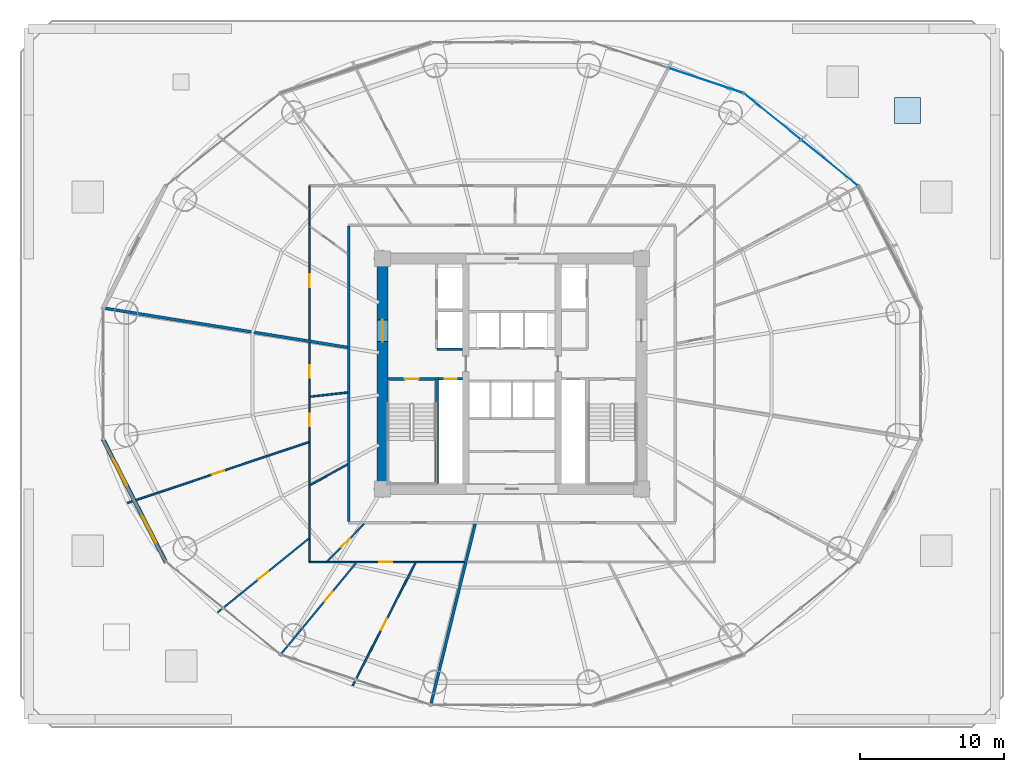
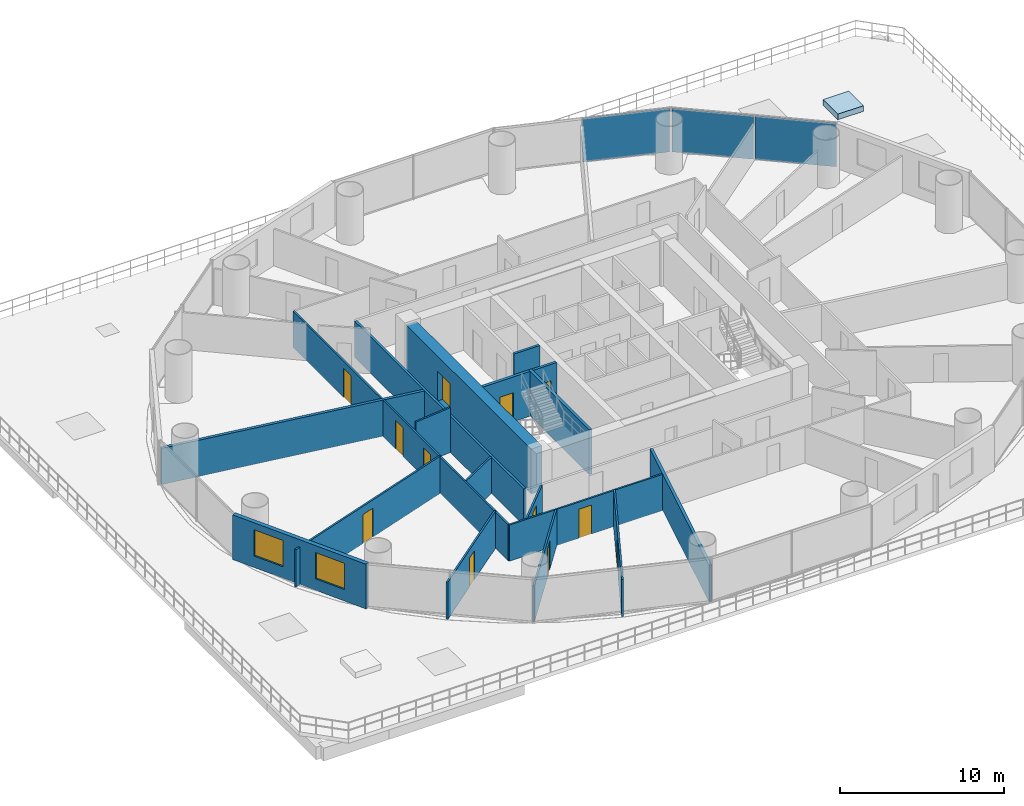
# One storey, part 30 of 37: 19 walls, 12 doors, 3 plates, 2 windows, 1 slab, 14 openings, 2 elements without a shape of their own.
"""IFC4 building model written with IfcOpenShell, lengths in metres."""

from ifc_helpers import new_model, si_unit, direction, frame, frame_2d, origin, origin_2d, place, context, subcontext, project, spatial, polyline, rectangle, outline, extrude, source, transform, mapped, material, layer, layer_set, type_object, element, fill, aggregate, save


model = new_model("IFC4")

# Units and contexts
model_context = context("Model", 3, precision=1e-05, world=origin(), true_north=direction((-0.2419218956, 0.970295726276)))
body_context = subcontext(model_context, "Body", "Model", "MODEL_VIEW")
ifc_project = project(units=[si_unit("LENGTHUNIT", "METRE"), si_unit("AREAUNIT", "SQUARE_METRE"), si_unit("VOLUMEUNIT", "CUBIC_METRE"), si_unit("PLANEANGLEUNIT", "RADIAN"), si_unit("MASSUNIT", "GRAM", prefix="KILO")], contexts=[model_context])

# Site, building, storey
site_placement = place(None, origin())
site = spatial("IfcSite", under=ifc_project, at=site_placement, CompositionType="ELEMENT")
building_placement = place(site_placement, origin())
building = spatial("IfcBuilding", under=site, at=building_placement, Name="Cobrevalo Terracotta Tower", CompositionType="ELEMENT")
storey_placement = place(building_placement, frame((0.0, 0.0, 24.0)))
storey = spatial("IfcBuildingStorey", under=building, at=storey_placement, Name="L05", CompositionType="ELEMENT", Elevation=24.0)

# Slab
ifc_material_1 = material(Name="Precast concrete C45", Category="concrete")
ifc_layer_1 = layer(ifc_material_1, 0.419921875)
ifc_layer_set_1 = layer_set([ifc_layer_1], Name="Precast concrete C45")
slab_type = type_object("IfcSlabType", Name="Structural tree planter trough base 420 mm", PredefinedType="USERDEFINED", material=ifc_layer_set_1)
slab_placement = place(storey_placement, origin())
element("IfcSlab", 1, at=slab_placement, inside=storey, type_object=slab_type, Name="L05 raised garden tree planter 6", ObjectType="PLANTER", PredefinedType="USERDEFINED", context=body_context, shape_type="SweptSolid", body=[
    extrude(outline(polyline([(64.60009765625, 44.199951171875), (66.39990234375, 44.199951171875), (66.39990234375, 46.0), (64.60009765625, 46.0), (64.60009765625, 44.199951171875)])), origin(), (0.0, 0.0, 1.0), 0.419921875),
])

# Curtain wall, plates
ifc_material_2 = material(Name="Anodized aluminium", Category="aluminium")
curtain_wall_type = type_object("IfcCurtainWallType", Name="Lower-tower unitised acoustic low-E curtain wall CW-U1", PredefinedType="NOTDEFINED", material=ifc_material_2)
curtain_wall_1_placement = place(storey_placement, origin())
curtain_wall_1 = element("IfcCurtainWall", 2, at=curtain_wall_1_placement, inside=storey, type_object=curtain_wall_type, Name="L05 curtain wall CW-L05-S02", PredefinedType="NOTDEFINED")
ifc_material_3 = material(Name="Solar-control low-E double glazing", Category="glass")
ifc_layer_2 = layer(ifc_material_3, 0.028076171875)
ifc_layer_set_2 = layer_set([ifc_layer_2], Name="Solar-control low-E double glazing")
plate_type = type_object("IfcPlateType", Name="Tower solar-control low-E vision glass panel 28 mm", PredefinedType="CURTAIN_PANEL", material=ifc_layer_set_2)
shared_shape_1 = source(origin(), body_context, "Body", "SweptSolid", [
    extrude(rectangle(XDim=5.023193359375, YDim=0.035888671875, at=origin_2d()), origin(), (0.0, 0.0, 1.0), 3.239990234375),
])
plate_1_placement = place(storey_placement, frame((60.073974609375, 41.470703125, 0.0400390625), z_axis=(0.0, 0.0, 1.0), x_axis=(-0.777007547884, 0.629491279154, 0.0)))
plate_1 = element("IfcPlate", 3, at=plate_1_placement, type_object=plate_type, Name="CW-L05-S02 glazing panel B01", PredefinedType="CURTAIN_PANEL", context=body_context, shape_type="MappedRepresentation", body=[
    mapped(shared_shape_1, transform((0.0, 0.0, 0.0), scale=1.0)),
])
plate_2_placement = place(storey_placement, frame((56.108642578125, 44.68310546875, 0.0400390625), z_axis=(0.0, 0.0, 1.0), x_axis=(-0.777007547884, 0.629491279154, 0.0)))
plate_2 = element("IfcPlate", 4, at=plate_2_placement, type_object=plate_type, Name="CW-L05-S02 glazing panel B02", PredefinedType="CURTAIN_PANEL", context=body_context, shape_type="MappedRepresentation", body=[
    mapped(shared_shape_1, transform((0.0, 0.0, 0.0), scale=1.0)),
])
aggregate(curtain_wall_1, [plate_1, plate_2])

# Curtain wall, plate
curtain_wall_2_placement = place(storey_placement, origin())
curtain_wall_2 = element("IfcCurtainWall", 5, at=curtain_wall_2_placement, inside=storey, type_object=curtain_wall_type, Name="L05 curtain wall CW-L05-S03", PredefinedType="NOTDEFINED")
shared_shape_2 = source(origin(), body_context, "Body", "SweptSolid", [
    extrude(rectangle(XDim=5.3876953125, YDim=0.035888671875, at=origin_2d()), origin(), (0.0, 0.0, 1.0), 3.239990234375),
])
plate_3_placement = place(storey_placement, frame((51.465087890625, 47.197021484375, 0.0400390625), z_axis=(0.0, 0.0, 1.0), x_axis=(-0.948044172593, 0.318138722592, 0.0)))
plate_3 = element("IfcPlate", 6, at=plate_3_placement, type_object=plate_type, Name="CW-L05-S03 glazing panel B01", PredefinedType="CURTAIN_PANEL", context=body_context, shape_type="MappedRepresentation", body=[
    mapped(shared_shape_2, transform((0.0, 0.0, 0.0), scale=1.0)),
])
aggregate(curtain_wall_2, [plate_3])

# Wall, opening, door
ifc_material_4 = material(Name="Concrete C60", Category="concrete")
ifc_layer_3 = layer(ifc_material_4, 0.75)
ifc_layer_set_3 = layer_set([ifc_layer_3], Name="Concrete C60")
wall_type_1 = type_object("IfcWallType", Name="Core shear wall 750 mm Concrete C60", PredefinedType="SHEAR", material=ifc_layer_set_3)
wall_1_placement = place(storey_placement, frame((29.0, 19.175048828125, 0.0), z_axis=(0.0, 0.0, 1.0), x_axis=(0.0, 1.0, 0.0)))
wall_1 = element("IfcWall", 7, at=wall_1_placement, inside=storey, type_object=wall_type_1, Name="L05 west core shear wall", PredefinedType="SHEAR", context=body_context, shape_type="SweptSolid", body=[
    extrude(rectangle(XDim=15.25, YDim=0.75, at=frame_2d((7.625, 0.0))), origin(), (0.0, 0.0, 1.0), 3.320068359375),
])
opening_1_placement = place(wall_1_placement, frame((9.875, 0.0, 0.0)))
opening_1 = element("IfcOpeningElement", 8, at=opening_1_placement, cuts=wall_1, Name="Opening ID-14", PredefinedType="OPENING", context=body_context, shape_type="SweptSolid", body=[
    extrude(rectangle(XDim=1.5, YDim=2.199951171875, at=frame_2d((0.75, 1.10009765625))), frame((0.0, 0.385009765625, 0.0), z_axis=(0.0, -1.0, 0.0), x_axis=(1.0, 0.0, 0.0)), (0.0, 0.0, 1.0), 0.77001953125),
])
ifc_material_5 = material(Name="Galvanized fire-rated steel", Category="steel")
door_type_1 = type_object("IfcDoorType", Name="Core cross-lobby double fire door 1500x2200 EI 90", OperationType="NOTDEFINED", PredefinedType="DOOR", material=ifc_material_5)
shared_shape_3 = source(origin(), body_context, "Body", "SweptSolid", [
    extrude(rectangle(XDim=1.5, YDim=2.199951171875, at=frame_2d((0.75, 1.10009765625))), frame((0.0, 0.02490234375, 0.0), z_axis=(0.0, -1.0, 0.0), x_axis=(1.0, 0.0, 0.0)), (0.0, 0.0, 1.0), 0.050048828125),
])
door_1_placement = place(opening_1_placement, origin())
door_1 = element("IfcDoor", 9, at=door_1_placement, inside=storey, type_object=door_type_1, Name="L05 west firefighting lobby entrance door", OperationType="DOUBLE_DOOR_SINGLE_SWING", OverallHeight=2.199951171875, OverallWidth=1.5, PredefinedType="DOOR", context=body_context, shape_type="MappedRepresentation", body=[
    mapped(shared_shape_3, transform((0.0, 0.0, 0.0), scale=1.0)),
])
fill(opening_1, door_1)

# Walls
ifc_material_6 = material(Name="Gypsum board on steel stud", Category="steel")
ifc_layer_4 = layer(ifc_material_6, 0.159912109375)
ifc_layer_set_4 = layer_set([ifc_layer_4], Name="Gypsum board on steel stud")
wall_type_2 = type_object("IfcWallType", Name="Fire-rated corridor acoustic partition wall 160 mm", PredefinedType="PARTITIONING", material=ifc_layer_set_4)
wall_2_placement = place(storey_placement, frame((32.77001953125, 28.52001953125, 0.0), z_axis=(0.0, 0.0, 1.0), x_axis=(1.0, 0.0, 0.0)))
element("IfcWall", 10, at=wall_2_placement, inside=storey, type_object=wall_type_2, Name="L05 interior partition IW-L05-FF1-S", PredefinedType="PARTITIONING", context=body_context, shape_type="SweptSolid", body=[
    extrude(rectangle(XDim=1.804931640625, YDim=0.159912109375, at=frame_2d((0.90234375, 0.0))), origin(), (0.0, 0.0, 1.0), 3.320068359375),
])
wall_3_placement = place(storey_placement, frame((26.64501953125, 16.52490234375, 0.0), z_axis=(0.0, 0.0, 1.0), x_axis=(0.0, 1.0, 0.0)))
element("IfcWall", 11, at=wall_3_placement, inside=storey, type_object=wall_type_2, Name="L05 interior partition IW-L05-COR-W", PredefinedType="PARTITIONING", context=body_context, shape_type="SweptSolid", body=[
    extrude(rectangle(XDim=20.550048828125, YDim=0.159912109375, at=frame_2d((10.27490234375, 0.0))), origin(), (0.0, 0.0, 1.0), 2.68798828125),
])

# Wall, opening, door
ifc_layer_5 = layer(ifc_material_6, 0.179931640625)
ifc_layer_set_5 = layer_set([ifc_layer_5], Name="Gypsum board on steel stud")
wall_type_3 = type_object("IfcWallType", Name="Fire-rated shaft & lobby acoustic partition wall 180 mm", PredefinedType="PARTITIONING", material=ifc_layer_set_5)
wall_4_placement = place(storey_placement, frame((32.89990234375, 26.449951171875, 0.0), z_axis=(0.0, 0.0, 1.0), x_axis=(1.0, 0.0, 0.0)))
wall_4 = element("IfcWall", 12, at=wall_4_placement, inside=storey, type_object=wall_type_3, Name="L05 interior partition IW-L05-RSW-N", PredefinedType="PARTITIONING", context=body_context, shape_type="SweptSolid", body=[
    extrude(rectangle(XDim=1.675048828125, YDim=0.179931640625, at=frame_2d((0.83740234375, 0.0))), origin(), (0.0, 0.0, 1.0), 3.320068359375),
])
opening_2_placement = place(wall_4_placement, frame((0.41259765625, 0.0, 0.0)))
opening_2 = element("IfcOpeningElement", 13, at=opening_2_placement, cuts=wall_4, Name="Opening ID-22", PredefinedType="OPENING", context=body_context, shape_type="SweptSolid", body=[
    extrude(rectangle(XDim=0.85009765625, YDim=2.10009765625, at=frame_2d((0.425048828125, 1.050048828125))), frame((0.0, 0.10009765625, 0.0), z_axis=(0.0, -1.0, 0.0), x_axis=(1.0, 0.0, 0.0)), (0.0, 0.0, 1.0), 0.199951171875),
])
ifc_material_7 = material(Name="Powder-coated steel", Category="steel")
door_type_2 = type_object("IfcDoorType", Name="Riser shaft & meter closet fire access door 850x2100 EI 60", OperationType="NOTDEFINED", PredefinedType="DOOR", material=ifc_material_7)
shared_shape_4 = source(origin(), body_context, "Body", "SweptSolid", [
    extrude(rectangle(XDim=0.85009765625, YDim=2.10009765625, at=frame_2d((0.425048828125, 1.050048828125))), frame((0.0, 0.02490234375, 0.0), z_axis=(0.0, -1.0, 0.0), x_axis=(1.0, 0.0, 0.0)), (0.0, 0.0, 1.0), 0.050048828125),
])
door_2_placement = place(opening_2_placement, origin())
door_2 = element("IfcDoor", 14, at=door_2_placement, inside=storey, type_object=door_type_2, Name="L05 riser access door RSW", OperationType="SINGLE_SWING_LEFT", OverallHeight=2.10009765625, OverallWidth=0.85009765625, PredefinedType="DOOR", context=body_context, shape_type="MappedRepresentation", body=[
    mapped(shared_shape_4, transform((0.0, 0.0, 0.0), scale=1.0)),
])
fill(opening_2, door_2)

# Walls
ifc_material_8 = material(Name="Autoclaved aerated concrete block", Category="concrete")
ifc_layer_6 = layer(ifc_material_8, 0.199951171875)
ifc_layer_set_6 = layer_set([ifc_layer_6], Name="Autoclaved aerated concrete block")
wall_type_4 = type_object("IfcWallType", Name="Fire-rated stair, shaft & demising masonry wall 200 mm", PredefinedType="PARTITIONING", material=ifc_layer_set_6)
wall_5_placement = place(storey_placement, frame((26.56494140625, 28.64306640625, 0.0), z_axis=(0.0, 0.0, 1.0), x_axis=(-0.987255953651, 0.159140447344, 0.0)))
element("IfcWall", 15, at=wall_5_placement, inside=storey, type_object=wall_type_4, Name="L05 interior partition IW-L05-DEM-3", PredefinedType="PARTITIONING", context=body_context, shape_type="SweptSolid", body=[
    extrude(rectangle(XDim=17.10546875, YDim=0.199951171875, at=frame_2d((8.552734375, 0.0))), origin(), (0.0, 0.0, 1.0), 2.68798828125),
])
wall_6_placement = place(storey_placement, frame((35.4384765625, 16.364990234375, 0.0), z_axis=(0.0, 0.0, 1.0), x_axis=(-0.238380116209, -0.971171931326, 0.0)))
element("IfcWall", 16, at=wall_6_placement, inside=storey, type_object=wall_type_4, Name="L05 interior partition IW-L05-DEM-4", PredefinedType="PARTITIONING", context=body_context, shape_type="SweptSolid", body=[
    extrude(rectangle(XDim=12.876708984375, YDim=0.199951171875, at=frame_2d((6.4384765625, 0.0))), origin(), (0.0, 0.0, 1.0), 2.68798828125),
])

# Wall, openings, windows
ifc_layer_7 = layer(ifc_material_8, 0.280029296875)
ifc_layer_set_7 = layer_set([ifc_layer_7], Name="Autoclaved aerated concrete block")
wall_type_5 = type_object("IfcWallType", Name="Insulated tower spandrel & pier wall 280 mm with terracotta rainscreen", PredefinedType="SOLIDWALL", material=ifc_layer_set_7)
wall_7_placement = place(storey_placement, frame((9.55029296875, 22.29248046875, 0.0), z_axis=(0.0, 0.0, 1.0), x_axis=(0.455220575541, -0.890378698984, 0.0)))
wall_7 = element("IfcWall", 17, at=wall_7_placement, inside=storey, type_object=wall_type_5, Name="L05 terracotta rainscreen pier wall S09", PredefinedType="SOLIDWALL", context=body_context, shape_type="SweptSolid", body=[
    extrude(rectangle(XDim=9.662109375, YDim=0.280029296875, at=frame_2d((4.8310546875, 0.0))), origin(), (0.0, 0.0, 1.0), 3.320068359375),
])
opening_3_placement = place(wall_7_placement, frame((1.558837890625, 0.0, 0.85009765625)))
opening_3 = element("IfcOpeningElement", 18, at=opening_3_placement, cuts=wall_7, Name="Opening WN-10", PredefinedType="OPENING", context=body_context, shape_type="SweptSolid", body=[
    extrude(rectangle(XDim=2.10009765625, YDim=1.949951171875, at=frame_2d((1.050048828125, 0.97509765625))), frame((0.0, 0.14990234375, 0.0), z_axis=(0.0, -1.0, 0.0), x_axis=(1.0, 0.0, 0.0)), (0.0, 0.0, 1.0), 0.300048828125),
])
opening_4_placement = place(wall_7_placement, frame((6.00341796875, 0.0, 0.85009765625)))
opening_4 = element("IfcOpeningElement", 19, at=opening_4_placement, cuts=wall_7, Name="Opening WN-10", PredefinedType="OPENING", context=body_context, shape_type="SweptSolid", body=[
    extrude(rectangle(XDim=2.10009765625, YDim=1.949951171875, at=frame_2d((1.050048828125, 0.97509765625))), frame((0.0, 0.14990234375, 0.0), z_axis=(0.0, -1.0, 0.0), x_axis=(1.0, 0.0, 0.0)), (0.0, 0.0, 1.0), 0.300048828125),
])
window_type = type_object("IfcWindowType", Name="Wide panoramic low-E aluminium window 2100x1950", PartitioningType="SINGLE_PANEL", PredefinedType="WINDOW", material=ifc_material_3)
shared_shape_5 = source(origin(), body_context, "Body", "SweptSolid", [
    extrude(rectangle(XDim=2.10009765625, YDim=1.949951171875, at=frame_2d((1.050048828125, 0.97509765625))), frame((0.0, 0.030029296875, 0.0), z_axis=(0.0, -1.0, 0.0), x_axis=(1.0, 0.0, 0.0)), (0.0, 0.0, 1.0), 0.06005859375),
])
window_1_placement = place(opening_3_placement, origin())
window_1 = element("IfcWindow", 20, at=window_1_placement, inside=storey, type_object=window_type, Name="L05 suite window S09A", OverallHeight=1.949951171875, OverallWidth=2.10009765625, PartitioningType="SINGLE_PANEL", PredefinedType="WINDOW", context=body_context, shape_type="MappedRepresentation", body=[
    mapped(shared_shape_5, transform((0.0, 0.0, 0.0), scale=1.0)),
])
fill(opening_3, window_1)
window_2_placement = place(opening_4_placement, origin())
window_2 = element("IfcWindow", 21, at=window_2_placement, inside=storey, type_object=window_type, Name="L05 suite window S09B", OverallHeight=1.949951171875, OverallWidth=2.10009765625, PartitioningType="SINGLE_PANEL", PredefinedType="WINDOW", context=body_context, shape_type="MappedRepresentation", body=[
    mapped(shared_shape_5, transform((0.0, 0.0, 0.0), scale=1.0)),
])
fill(opening_4, window_2)

# Wall, opening, door
ifc_layer_8 = layer(ifc_material_6, 0.1201171875)
ifc_layer_set_8 = layer_set([ifc_layer_8], Name="Gypsum board on steel stud")
wall_type_6 = type_object("IfcWallType", Name="Residential internal acoustic stud partition 120 mm", PredefinedType="PARTITIONING", material=ifc_layer_set_8)
wall_8_placement = place(storey_placement, frame((23.9150390625, 29.17236328125, 0.0), z_axis=(0.0, 0.0, 1.0), x_axis=(0.0, 1.0, 0.0)))
wall_8 = element("IfcWall", 22, at=wall_8_placement, inside=storey, type_object=wall_type_6, Name="L05 interior partition IW-L05-U2-RING0_0", PredefinedType="PARTITIONING", context=body_context, shape_type="SweptSolid", body=[
    extrude(rectangle(XDim=10.712646484375, YDim=0.1201171875, at=frame_2d((5.3564453125, 0.0))), origin(), (0.0, 0.0, 1.0), 2.68798828125),
])
opening_5_placement = place(wall_8_placement, frame((3.666259765625, 0.0, 0.0)))
opening_5 = element("IfcOpeningElement", 23, at=opening_5_placement, cuts=wall_8, Name="Opening ID-12", PredefinedType="OPENING", context=body_context, shape_type="SweptSolid", body=[
    extrude(rectangle(XDim=0.89990234375, YDim=2.14990234375, at=frame_2d((0.449951171875, 1.074951171875))), frame((0.0, 0.070068359375, 0.0), z_axis=(0.0, -1.0, 0.0), x_axis=(1.0, 0.0, 0.0)), (0.0, 0.0, 1.0), 0.14013671875),
])
ifc_material_9 = material(Name="Engineered timber", Category="wood")
door_type_3 = type_object("IfcDoorType", Name="Internal residence & suite timber door 900x2150", OperationType="NOTDEFINED", PredefinedType="DOOR", material=ifc_material_9)
shared_shape_6 = source(origin(), body_context, "Body", "SweptSolid", [
    extrude(rectangle(XDim=0.89990234375, YDim=2.14990234375, at=frame_2d((0.449951171875, 1.074951171875))), frame((0.0, 0.02490234375, 0.0), z_axis=(0.0, -1.0, 0.0), x_axis=(1.0, 0.0, 0.0)), (0.0, 0.0, 1.0), 0.050048828125),
])
door_3_placement = place(opening_5_placement, origin())
door_3 = element("IfcDoor", 24, at=door_3_placement, inside=storey, type_object=door_type_3, Name="Flat L05B Penthouse Family Lounge internal door", OperationType="SINGLE_SWING_LEFT", OverallHeight=2.14990234375, OverallWidth=0.89990234375, PredefinedType="DOOR", context=body_context, shape_type="MappedRepresentation", body=[
    mapped(shared_shape_6, transform((0.0, 0.0, 0.0), scale=1.0)),
])
fill(opening_5, door_3)

wall_9_placement = place(storey_placement, frame((34.68603515625, 13.715087890625, 0.0), z_axis=(0.0, 0.0, 1.0), x_axis=(-1.0, 0.0, 0.0)))
wall_9 = element("IfcWall", 25, at=wall_9_placement, inside=storey, type_object=wall_type_6, Name="L05 interior partition IW-L05-U3-RING0_0", PredefinedType="PARTITIONING", context=body_context, shape_type="SweptSolid", body=[
    extrude(rectangle(XDim=10.77099609375, YDim=0.1201171875, at=frame_2d((5.385498046875, 0.0))), origin(), (0.0, 0.0, 1.0), 2.68798828125),
])
opening_6_placement = place(wall_9_placement, frame((5.010498046875, 0.0, 0.0)))
opening_6 = element("IfcOpeningElement", 26, at=opening_6_placement, cuts=wall_9, Name="Opening ID-12", PredefinedType="OPENING", context=body_context, shape_type="SweptSolid", body=[
    extrude(rectangle(XDim=0.89990234375, YDim=2.14990234375, at=frame_2d((0.449951171875, 1.074951171875))), frame((0.0, 0.070068359375, 0.0), z_axis=(0.0, -1.0, 0.0), x_axis=(1.0, 0.0, 0.0)), (0.0, 0.0, 1.0), 0.14013671875),
])
door_4_placement = place(opening_6_placement, origin())
door_4 = element("IfcDoor", 27, at=door_4_placement, inside=storey, type_object=door_type_3, Name="Flat L05C Penthouse Family Lounge internal door", OperationType="SINGLE_SWING_RIGHT", OverallHeight=2.14990234375, OverallWidth=0.89990234375, PredefinedType="DOOR", context=body_context, shape_type="MappedRepresentation", body=[
    mapped(shared_shape_6, transform((0.0, 0.0, 0.0), scale=1.0)),
])
fill(opening_6, door_4)

# Wall, openings, doors
wall_10_placement = place(storey_placement, frame((23.9150390625, 13.715087890625, 0.0), z_axis=(0.0, 0.0, 1.0), x_axis=(0.0, 1.0, 0.0)))
wall_10 = element("IfcWall", 28, at=wall_10_placement, inside=storey, type_object=wall_type_6, Name="L05 interior partition IW-L05-U3-RING1_0", PredefinedType="PARTITIONING", context=body_context, shape_type="SweptSolid", body=[
    extrude(rectangle(XDim=15.253173828125, YDim=0.1201171875, at=frame_2d((7.62646484375, 0.0))), origin(), (0.0, 0.0, 1.0), 2.68798828125),
])
opening_7_placement = place(wall_10_placement, frame((9.42919921875, 0.0, 0.0)))
opening_7 = element("IfcOpeningElement", 29, at=opening_7_placement, cuts=wall_10, Name="Opening ID-12", PredefinedType="OPENING", context=body_context, shape_type="SweptSolid", body=[
    extrude(rectangle(XDim=0.89990234375, YDim=2.14990234375, at=frame_2d((0.449951171875, 1.074951171875))), frame((0.0, 0.070068359375, 0.0), z_axis=(0.0, -1.0, 0.0), x_axis=(1.0, 0.0, 0.0)), (0.0, 0.0, 1.0), 0.14013671875),
])
opening_8_placement = place(wall_10_placement, frame((12.80322265625, 0.0, 0.0)))
opening_8 = element("IfcOpeningElement", 30, at=opening_8_placement, cuts=wall_10, Name="Opening ID-12", PredefinedType="OPENING", context=body_context, shape_type="SweptSolid", body=[
    extrude(rectangle(XDim=0.89990234375, YDim=2.14990234375, at=frame_2d((0.449951171875, 1.074951171875))), frame((0.0, 0.070068359375, 0.0), z_axis=(0.0, -1.0, 0.0), x_axis=(1.0, 0.0, 0.0)), (0.0, 0.0, 1.0), 0.14013671875),
])
door_5_placement = place(opening_7_placement, frame((0.89990234375, 0.0, 0.0), z_axis=(0.0, 0.0, 1.0), x_axis=(-1.0, 0.0, 0.0)))
door_5 = element("IfcDoor", 31, at=door_5_placement, inside=storey, type_object=door_type_3, Name="Flat L05C Kitchen internal door", OperationType="SINGLE_SWING_LEFT", OverallHeight=2.14990234375, OverallWidth=0.89990234375, PredefinedType="DOOR", context=body_context, shape_type="MappedRepresentation", body=[
    mapped(shared_shape_6, transform((0.0, 0.0, 0.0), scale=1.0)),
])
fill(opening_7, door_5)
door_6_placement = place(opening_8_placement, frame((0.89990234375, 0.0, 0.0), z_axis=(0.0, 0.0, 1.0), x_axis=(-1.0, 0.0, 0.0)))
door_6 = element("IfcDoor", 32, at=door_6_placement, inside=storey, type_object=door_type_3, Name="Flat L05C Home Office Study internal door", OperationType="SINGLE_SWING_RIGHT", OverallHeight=2.14990234375, OverallWidth=0.89990234375, PredefinedType="DOOR", context=body_context, shape_type="MappedRepresentation", body=[
    mapped(shared_shape_6, transform((0.0, 0.0, 0.0), scale=1.0)),
])
fill(opening_8, door_6)

# Wall, opening, door
wall_11_placement = place(storey_placement, frame((23.856201171875, 22.052490234375, 0.0), z_axis=(0.0, 0.0, 1.0), x_axis=(-0.948023034133, -0.318201707653, 0.0)))
wall_11 = element("IfcWall", 33, at=wall_11_placement, inside=storey, type_object=wall_type_6, Name="L05 interior partition IW-L05-U3-ORAD0L", PredefinedType="PARTITIONING", context=body_context, shape_type="SweptSolid", body=[
    extrude(rectangle(XDim=13.27880859375, YDim=0.1201171875, at=frame_2d((6.639404296875, 0.0))), origin(), (0.0, 0.0, 1.0), 2.761962890625),
])
opening_9_placement = place(wall_11_placement, frame((6.189453125, 0.0, 0.0)))
opening_9 = element("IfcOpeningElement", 34, at=opening_9_placement, cuts=wall_11, Name="Opening ID-12", PredefinedType="OPENING", context=body_context, shape_type="SweptSolid", body=[
    extrude(rectangle(XDim=0.89990234375, YDim=2.14990234375, at=frame_2d((0.449951171875, 1.074951171875))), frame((0.0, 0.070068359375, 0.0), z_axis=(0.0, -1.0, 0.0), x_axis=(1.0, 0.0, 0.0)), (0.0, 0.0, 1.0), 0.14013671875),
])
door_7_placement = place(opening_9_placement, frame((0.89990234375, 0.0, 0.0), z_axis=(0.0, 0.0, 1.0), x_axis=(-1.0, 0.0, 0.0)))
door_7 = element("IfcDoor", 35, at=door_7_placement, inside=storey, type_object=door_type_3, Name="Flat L05C Penthouse Living and Dining Room internal door", OperationType="SINGLE_SWING_RIGHT", OverallHeight=2.14990234375, OverallWidth=0.89990234375, PredefinedType="DOOR", context=body_context, shape_type="MappedRepresentation", body=[
    mapped(shared_shape_6, transform((0.0, 0.0, 0.0), scale=1.0)),
])
fill(opening_9, door_7)

wall_12_placement = place(storey_placement, frame((23.866943359375, 15.34716796875, 0.0), z_axis=(0.0, 0.0, 1.0), x_axis=(-0.776936623447, -0.629578814087, 0.0)))
wall_12 = element("IfcWall", 36, at=wall_12_placement, inside=storey, type_object=wall_type_6, Name="L05 interior partition IW-L05-U3-ORAD1", PredefinedType="PARTITIONING", context=body_context, shape_type="SweptSolid", body=[
    extrude(rectangle(XDim=8.136474609375, YDim=0.1201171875, at=frame_2d((4.068359375, 0.0))), origin(), (0.0, 0.0, 1.0), 2.761962890625),
])
opening_10_placement = place(wall_12_placement, frame((3.618408203125, 0.0, 0.0)))
opening_10 = element("IfcOpeningElement", 37, at=opening_10_placement, cuts=wall_12, Name="Opening ID-12", PredefinedType="OPENING", context=body_context, shape_type="SweptSolid", body=[
    extrude(rectangle(XDim=0.89990234375, YDim=2.14990234375, at=frame_2d((0.449951171875, 1.074951171875))), frame((0.0, 0.070068359375, 0.0), z_axis=(0.0, -1.0, 0.0), x_axis=(1.0, 0.0, 0.0)), (0.0, 0.0, 1.0), 0.14013671875),
])
door_8_placement = place(opening_10_placement, frame((0.89990234375, 0.0, 0.0), z_axis=(0.0, 0.0, 1.0), x_axis=(-1.0, 0.0, 0.0)))
door_8 = element("IfcDoor", 38, at=door_8_placement, inside=storey, type_object=door_type_3, Name="Flat L05C Private Cinema Room internal door", OperationType="SINGLE_SWING_LEFT", OverallHeight=2.14990234375, OverallWidth=0.89990234375, PredefinedType="DOOR", context=body_context, shape_type="MappedRepresentation", body=[
    mapped(shared_shape_6, transform((0.0, 0.0, 0.0), scale=1.0)),
])
fill(opening_10, door_8)

wall_13_placement = place(storey_placement, frame((27.171142578125, 13.667236328125, 0.0), z_axis=(0.0, 0.0, 1.0), x_axis=(-0.636177533893, -0.771542704826, 0.0)))
wall_13 = element("IfcWall", 39, at=wall_13_placement, inside=storey, type_object=wall_type_6, Name="L05 interior partition IW-L05-U3-ORAD2M1", PredefinedType="PARTITIONING", context=body_context, shape_type="SweptSolid", body=[
    extrude(rectangle(XDim=8.1865234375, YDim=0.1201171875, at=frame_2d((4.09326171875, 0.0))), origin(), (0.0, 0.0, 1.0), 2.68798828125),
])
opening_11_placement = place(wall_13_placement, frame((2.579345703125, 0.0, 0.0)))
opening_11 = element("IfcOpeningElement", 40, at=opening_11_placement, cuts=wall_13, Name="Opening ID-12", PredefinedType="OPENING", context=body_context, shape_type="SweptSolid", body=[
    extrude(rectangle(XDim=0.89990234375, YDim=2.14990234375, at=frame_2d((0.449951171875, 1.074951171875))), frame((0.0, 0.070068359375, 0.0), z_axis=(0.0, -1.0, 0.0), x_axis=(1.0, 0.0, 0.0)), (0.0, 0.0, 1.0), 0.14013671875),
])
door_9_placement = place(opening_11_placement, frame((0.89990234375, 0.0, 0.0), z_axis=(0.0, 0.0, 1.0), x_axis=(-1.0, 0.0, 0.0)))
door_9 = element("IfcDoor", 41, at=door_9_placement, inside=storey, type_object=door_type_3, Name="Flat L05C Master Bedroom internal door", OperationType="SINGLE_SWING_RIGHT", OverallHeight=2.14990234375, OverallWidth=0.89990234375, PredefinedType="DOOR", context=body_context, shape_type="MappedRepresentation", body=[
    mapped(shared_shape_6, transform((0.0, 0.0, 0.0), scale=1.0)),
])
fill(opening_11, door_9)

wall_14_placement = place(storey_placement, frame((31.283203125, 13.65966796875, 0.0), z_axis=(0.0, 0.0, 1.0), x_axis=(-0.455131303234, -0.890424335256, 0.0)))
wall_14 = element("IfcWall", 42, at=wall_14_placement, inside=storey, type_object=wall_type_6, Name="L05 interior partition IW-L05-U3-ORAD2M2", PredefinedType="PARTITIONING", context=body_context, shape_type="SweptSolid", body=[
    extrude(rectangle(XDim=9.562255859375, YDim=0.1201171875, at=frame_2d((4.78125, 0.0))), origin(), (0.0, 0.0, 1.0), 2.761962890625),
])
opening_12_placement = place(wall_14_placement, frame((4.3310546875, 0.0, 0.0)))
opening_12 = element("IfcOpeningElement", 43, at=opening_12_placement, cuts=wall_14, Name="Opening ID-12", PredefinedType="OPENING", context=body_context, shape_type="SweptSolid", body=[
    extrude(rectangle(XDim=0.89990234375, YDim=2.14990234375, at=frame_2d((0.449951171875, 1.074951171875))), frame((0.0, 0.070068359375, 0.0), z_axis=(0.0, -1.0, 0.0), x_axis=(1.0, 0.0, 0.0)), (0.0, 0.0, 1.0), 0.14013671875),
])
door_10_placement = place(opening_12_placement, origin())
door_10 = element("IfcDoor", 44, at=door_10_placement, inside=storey, type_object=door_type_3, Name="Flat L05C Penthouse Family Lounge internal door", OperationType="SINGLE_SWING_LEFT", OverallHeight=2.14990234375, OverallWidth=0.89990234375, PredefinedType="DOOR", context=body_context, shape_type="MappedRepresentation", body=[
    mapped(shared_shape_6, transform((0.0, 0.0, 0.0), scale=1.0)),
])
fill(opening_12, door_10)

# Walls
wall_15_placement = place(storey_placement, frame((26.56494140625, 25.50732421875, 0.0), z_axis=(0.0, 0.0, 1.0), x_axis=(-0.993676271227, -0.112282981789, 0.0)))
element("IfcWall", 45, at=wall_15_placement, inside=storey, type_object=wall_type_6, Name="L05 interior partition IW-L05-U3-IRAD1", PredefinedType="PARTITIONING", context=body_context, shape_type="SweptSolid", body=[
    extrude(rectangle(XDim=2.604736328125, YDim=0.1201171875, at=frame_2d((1.30224609375, 0.0))), origin(), (0.0, 0.0, 1.0), 3.320068359375),
])
wall_16_placement = place(storey_placement, frame((26.56494140625, 20.504638671875, 0.0), z_axis=(0.0, 0.0, 1.0), x_axis=(-0.876027961584, -0.482260314066, 0.0)))
element("IfcWall", 46, at=wall_16_placement, inside=storey, type_object=wall_type_6, Name="L05 interior partition IW-L05-U3-IRAD2", PredefinedType="PARTITIONING", context=body_context, shape_type="SweptSolid", body=[
    extrude(rectangle(XDim=2.963134765625, YDim=0.1201171875, at=frame_2d((1.4814453125, 0.0))), origin(), (0.0, 0.0, 1.0), 2.68798828125),
])

# Wall, opening, door
wall_17_placement = place(storey_placement, frame((27.71923828125, 16.364990234375, 0.0), z_axis=(0.0, 0.0, 1.0), x_axis=(-0.701848204267, -0.712326539002, 0.0)))
wall_17 = element("IfcWall", 47, at=wall_17_placement, inside=storey, type_object=wall_type_6, Name="L05 interior partition IW-L05-U3-IRAD3", PredefinedType="PARTITIONING", context=body_context, shape_type="SweptSolid", body=[
    extrude(rectangle(XDim=3.657958984375, YDim=0.1201171875, at=frame_2d((1.8291015625, 0.0))), origin(), (0.0, 0.0, 1.0), 2.68798828125),
])
opening_13_placement = place(wall_17_placement, frame((1.39892578125, 0.0, 0.0)))
opening_13 = element("IfcOpeningElement", 48, at=opening_13_placement, cuts=wall_17, Name="Opening ID-19", PredefinedType="OPENING", context=body_context, shape_type="SweptSolid", body=[
    extrude(rectangle(XDim=0.860107421875, YDim=2.14990234375, at=frame_2d((0.43017578125, 1.074951171875))), frame((0.0, 0.070068359375, 0.0), z_axis=(0.0, -1.0, 0.0), x_axis=(1.0, 0.0, 0.0)), (0.0, 0.0, 1.0), 0.14013671875),
])
ifc_material_10 = material(Name="Moisture-sealed timber", Category="wood")
door_type_4 = type_object("IfcDoorType", Name="Suite bathroom internal timber door 860x2150", OperationType="NOTDEFINED", PredefinedType="DOOR", material=ifc_material_10)
shared_shape_7 = source(origin(), body_context, "Body", "SweptSolid", [
    extrude(rectangle(XDim=0.860107421875, YDim=2.14990234375, at=frame_2d((0.43017578125, 1.074951171875))), frame((0.0, 0.02490234375, 0.0), z_axis=(0.0, -1.0, 0.0), x_axis=(1.0, 0.0, 0.0)), (0.0, 0.0, 1.0), 0.050048828125),
])
door_11_placement = place(opening_13_placement, frame((0.860107421875, 0.0, 0.0), z_axis=(0.0, 0.0, 1.0), x_axis=(-1.0, 0.0, 0.0)))
door_11 = element("IfcDoor", 49, at=door_11_placement, inside=storey, type_object=door_type_4, Name="Flat L05C Primary Bathroom internal door", OperationType="SINGLE_SWING_LEFT", OverallHeight=2.14990234375, OverallWidth=0.860107421875, PredefinedType="DOOR", context=body_context, shape_type="MappedRepresentation", body=[
    mapped(shared_shape_7, transform((0.0, 0.0, 0.0), scale=1.0)),
])
fill(opening_13, door_11)

# Wall
ifc_material_11 = material(Name="Concrete C50", Category="concrete")
ifc_layer_9 = layer(ifc_material_11, 0.199951171875)
ifc_layer_set_9 = layer_set([ifc_layer_9], Name="Concrete C50")
wall_type_7 = type_object("IfcWallType", Name="Structural core & podium stair-shaft RC wall 200 mm Concrete C50", PredefinedType="SOLIDWALL", material=ifc_layer_set_9)
wall_18_placement = place(storey_placement, frame((32.794921875, 19.175048828125, 0.0), z_axis=(0.0, 0.0, 1.0), x_axis=(0.0, 1.0, 0.0)))
element("IfcWall", 50, at=wall_18_placement, inside=storey, type_object=wall_type_7, Name="L05 ST-1 east structural shaft wall", PredefinedType="SOLIDWALL", context=body_context, shape_type="SweptSolid", body=[
    extrude(rectangle(XDim=7.375, YDim=0.199951171875, at=frame_2d((3.6875, 0.0))), origin(), (0.0, 0.0, 1.0), 3.320068359375),
])

# Wall, opening, door
wall_19_placement = place(storey_placement, frame((29.375, 26.449951171875, 0.0), z_axis=(0.0, 0.0, 1.0), x_axis=(1.0, 0.0, 0.0)))
wall_19 = element("IfcWall", 51, at=wall_19_placement, inside=storey, type_object=wall_type_7, Name="L05 ST-1 north structural shaft wall", PredefinedType="SOLIDWALL", context=body_context, shape_type="SweptSolid", body=[
    extrude(rectangle(XDim=3.320068359375, YDim=0.199951171875, at=frame_2d((1.66015625, 0.0))), origin(), (0.0, 0.0, 1.0), 3.320068359375),
])
opening_14_placement = place(wall_19_placement, frame((1.18505859375, 0.0, 0.0)))
opening_14 = element("IfcOpeningElement", 52, at=opening_14_placement, cuts=wall_19, Name="Opening ID-04", PredefinedType="OPENING", context=body_context, shape_type="SweptSolid", body=[
    extrude(rectangle(XDim=0.949951171875, YDim=2.14990234375, at=frame_2d((0.47509765625, 1.074951171875))), frame((0.0, 0.10986328125, 0.0), z_axis=(0.0, -1.0, 0.0), x_axis=(1.0, 0.0, 0.0)), (0.0, 0.0, 1.0), 0.219970703125),
])
door_type_5 = type_object("IfcDoorType", Name="Stair & firefighting lobby fire door 950x2150 EI 90", OperationType="NOTDEFINED", PredefinedType="DOOR", material=ifc_material_5)
shared_shape_8 = source(origin(), body_context, "Body", "SweptSolid", [
    extrude(rectangle(XDim=0.949951171875, YDim=2.14990234375, at=frame_2d((0.47509765625, 1.074951171875))), frame((0.0, 0.02490234375, 0.0), z_axis=(0.0, -1.0, 0.0), x_axis=(1.0, 0.0, 0.0)), (0.0, 0.0, 1.0), 0.050048828125),
])
door_12_placement = place(opening_14_placement, origin())
door_12 = element("IfcDoor", 53, at=door_12_placement, inside=storey, type_object=door_type_5, Name="L05 protected stair ST1 fire door", OperationType="SINGLE_SWING_LEFT", OverallHeight=2.14990234375, OverallWidth=0.949951171875, PredefinedType="DOOR", context=body_context, shape_type="MappedRepresentation", body=[
    mapped(shared_shape_8, transform((0.0, 0.0, 0.0), scale=1.0)),
])
fill(opening_14, door_12)

save(model, "model.ifc")
